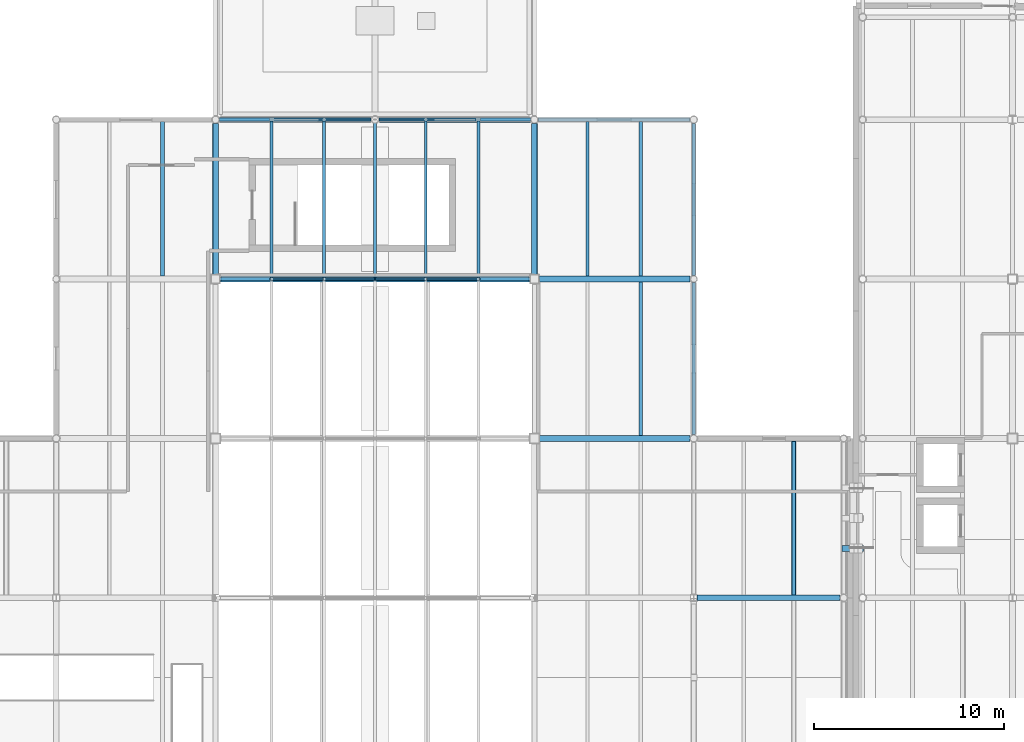
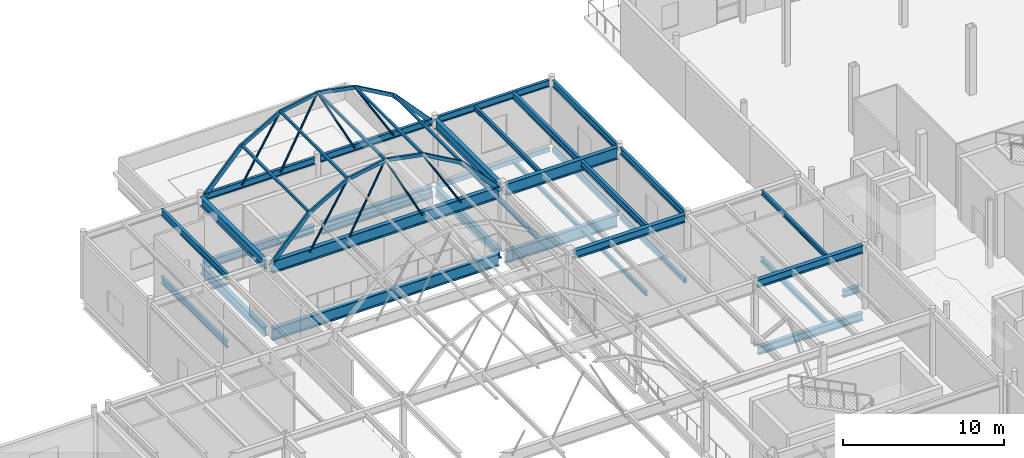
# One storey, part 32 of 103: 32 beams, 25 members.
"""IFC4 building model written with IfcOpenShell, lengths in metres."""

from ifc_helpers import new_model, si_unit, direction, frame, origin, origin_2d, place, context, subcontext, project, spatial, hollow_rectangle, hollow_circle, i_section, extrude, material, material_profile, profile_set, type_object, element, save


model = new_model("IFC4")

# Units and contexts
model_context = context("Model", 3, precision=1e-05, world=origin(), true_north=direction((0.0, 1.0)))
body_context = subcontext(model_context, "Body", "Model", "MODEL_VIEW")
ifc_project = project(units=[si_unit("LENGTHUNIT", "METRE"), si_unit("AREAUNIT", "SQUARE_METRE"), si_unit("VOLUMEUNIT", "CUBIC_METRE"), si_unit("PLANEANGLEUNIT", "RADIAN"), si_unit("MASSUNIT", "GRAM", prefix="KILO"), si_unit("THERMODYNAMICTEMPERATUREUNIT", "KELVIN")], contexts=[model_context])

# Site, building, storey
site_placement = place(None, origin())
site = spatial("IfcSite", under=ifc_project, at=site_placement, CompositionType="ELEMENT")
building_placement = place(site_placement, origin())
building = spatial("IfcBuilding", under=site, at=building_placement, Name="Lustrewick Department Store", CompositionType="ELEMENT")
storey_placement = place(building_placement, frame((0.0, 0.0, 16.5)))
storey = spatial("IfcBuildingStorey", under=building, at=storey_placement, Name="L04", CompositionType="ELEMENT", Elevation=16.5)

# Beams
ifc_material_1 = material(Name="Structural steel Q355B", Category="steel")
ifc_material_profile_1 = material_profile(ifc_material_1, i_section(OverallWidth=0.199951171875, OverallDepth=0.5, WebThickness=0.010009765625, FlangeThickness=0.01611328125, FilletRadius=0.01611328125, at=origin_2d()), Name="HN 500x200x10x16")
ifc_profile_set_1 = profile_set([ifc_material_profile_1], Name="Structural steel Q355B")
beam_type_1 = type_object("IfcBeamType", Name="B01", PredefinedType="JOIST", material=ifc_profile_set_1)
beam_1_placement = place(storey_placement, frame((72.800048828125, 92.550048828125, -0.5048828125), z_axis=(0.0, 1.0, 0.0), x_axis=(-1.0, 0.0, 0.0)))
element("IfcBeam", 1, at=beam_1_placement, inside=storey, type_object=beam_type_1, Name="L04 V2 Secondary Joist B01", PredefinedType="JOIST", context=body_context, shape_type="SweptSolid", body=[
    extrude(i_section(OverallWidth=0.199951171875, OverallDepth=0.5, WebThickness=0.010009765625, FlangeThickness=0.01611328125, FilletRadius=0.01611328125, at=origin_2d()), origin(), (0.0, 0.0, 1.0), 8.14990234375),
])
beam_2_placement = place(storey_placement, frame((98.0, 84.14990234375, 4.594970703125), z_axis=(0.0, 1.0, 0.0), x_axis=(-1.0, 0.0, 0.0)))
element("IfcBeam", 2, at=beam_2_placement, inside=storey, type_object=beam_type_1, Name="L04 V2 Secondary Joist B01", PredefinedType="JOIST", context=body_context, shape_type="SweptSolid", body=[
    extrude(i_section(OverallWidth=0.199951171875, OverallDepth=0.5, WebThickness=0.010009765625, FlangeThickness=0.01611328125, FilletRadius=0.01611328125, at=origin_2d()), origin(), (0.0, 0.0, 1.0), 8.1005859375),
])
beam_3_placement = place(storey_placement, frame((98.0, 92.549560546875, 4.594970703125), z_axis=(0.0, 1.0, 0.0), x_axis=(-1.0, 0.0, 0.0)))
element("IfcBeam", 3, at=beam_3_placement, inside=storey, type_object=beam_type_1, Name="L04 V2 Secondary Joist B01", PredefinedType="JOIST", context=body_context, shape_type="SweptSolid", body=[
    extrude(i_section(OverallWidth=0.199951171875, OverallDepth=0.5, WebThickness=0.010009765625, FlangeThickness=0.01611328125, FilletRadius=0.01611328125, at=origin_2d()), origin(), (0.0, 0.0, 1.0), 8.14990234375),
])
ifc_material_profile_2 = material_profile(ifc_material_1, i_section(OverallWidth=0.198974609375, OverallDepth=0.49609375, WebThickness=0.009033203125, FlangeThickness=0.013916015625, FilletRadius=0.01611328125, at=origin_2d()), Name="HN 496x199x9x14")
ifc_profile_set_2 = profile_set([ifc_material_profile_2], Name="Structural steel Q355B")
beam_type_2 = type_object("IfcBeamType", Name="B02", PredefinedType="JOIST", material=ifc_profile_set_2)
beam_4_placement = place(storey_placement, frame((72.800048828125, 92.550048828125, 4.596923828125), z_axis=(0.0, 1.0, 0.0), x_axis=(-1.0, 0.0, 0.0)))
element("IfcBeam", 4, at=beam_4_placement, inside=storey, type_object=beam_type_2, Name="L04 V2 Secondary Joist B02", PredefinedType="JOIST", context=body_context, shape_type="SweptSolid", body=[
    extrude(i_section(OverallWidth=0.198974609375, OverallDepth=0.49609375, WebThickness=0.009033203125, FlangeThickness=0.013916015625, FilletRadius=0.01611328125, at=origin_2d()), origin(), (0.0, 0.0, 1.0), 8.1494140625),
])
ifc_material_profile_3 = material_profile(ifc_material_1, i_section(OverallWidth=0.25, OverallDepth=0.340087890625, WebThickness=0.009033203125, FlangeThickness=0.013916015625, FilletRadius=0.01611328125, at=origin_2d()), Name="HM 340x250x9x14")
ifc_profile_set_3 = profile_set([ifc_material_profile_3], Name="Structural steel Q355B")
beam_type_3 = type_object("IfcBeamType", Name="B08", PredefinedType="JOIST", material=ifc_profile_set_3)
beam_5_placement = place(storey_placement, frame((106.066650390625, 75.7509765625, -0.425048828125), z_axis=(0.0, 1.0, 0.0), x_axis=(-1.0, 0.0, 0.0)))
element("IfcBeam", 5, at=beam_5_placement, inside=storey, type_object=beam_type_3, Name="L04 V2 Secondary Joist B08", PredefinedType="JOIST", context=body_context, shape_type="SweptSolid", body=[
    extrude(i_section(OverallWidth=0.25, OverallDepth=0.340087890625, WebThickness=0.009033203125, FlangeThickness=0.013916015625, FilletRadius=0.01611328125, at=origin_2d()), origin(), (0.0, 0.0, 1.0), 8.1484375),
])
ifc_material_profile_4 = material_profile(ifc_material_1, i_section(OverallWidth=0.175048828125, OverallDepth=0.35009765625, WebThickness=0.007080078125, FlangeThickness=0.010986328125, FilletRadius=0.012939453125, at=origin_2d()), Name="HN 350x175x7x11")
ifc_profile_set_4 = profile_set([ifc_material_profile_4], Name="Structural steel Q355B")
beam_type_4 = type_object("IfcBeamType", Name="B09", PredefinedType="JOIST", material=ifc_profile_set_4)
beam_6_placement = place(storey_placement, frame((95.199951171875, 92.550048828125, -0.429931640625), z_axis=(0.0, 1.0, 0.0), x_axis=(-1.0, 0.0, 0.0)))
element("IfcBeam", 6, at=beam_6_placement, inside=storey, type_object=beam_type_4, Name="L04 V2 Secondary Joist B09", PredefinedType="JOIST", context=body_context, shape_type="SweptSolid", body=[
    extrude(i_section(OverallWidth=0.175048828125, OverallDepth=0.35009765625, WebThickness=0.007080078125, FlangeThickness=0.010986328125, FilletRadius=0.012939453125, at=origin_2d()), origin(), (0.0, 0.0, 1.0), 8.14990234375),
])
beam_7_placement = place(storey_placement, frame((106.066650390625, 75.75, 4.669921875), z_axis=(0.0, 1.0, 0.0), x_axis=(-1.0, 0.0, 0.0)))
element("IfcBeam", 7, at=beam_7_placement, inside=storey, type_object=beam_type_4, Name="L04 V2 Secondary Joist B09", PredefinedType="JOIST", context=body_context, shape_type="SweptSolid", body=[
    extrude(i_section(OverallWidth=0.175048828125, OverallDepth=0.35009765625, WebThickness=0.007080078125, FlangeThickness=0.010986328125, FilletRadius=0.012939453125, at=origin_2d()), origin(), (0.0, 0.0, 1.0), 8.10009765625),
])
ifc_material_profile_5 = material_profile(ifc_material_1, i_section(OverallWidth=0.174072265625, OverallDepth=0.345947265625, WebThickness=0.006103515625, FlangeThickness=0.009033203125, FilletRadius=0.012939453125, at=origin_2d()), Name="HN 346x174x6x9")
ifc_profile_set_5 = profile_set([ifc_material_profile_5], Name="Structural steel Q355B")
beam_type_5 = type_object("IfcBeamType", Name="B10", PredefinedType="JOIST", material=ifc_profile_set_5)
beam_8_placement = place(storey_placement, frame((95.199951171875, 92.549560546875, 4.672119140625), z_axis=(0.0, 1.0, 0.0), x_axis=(-1.0, 0.0, 0.0)))
element("IfcBeam", 8, at=beam_8_placement, inside=storey, type_object=beam_type_5, Name="L04 V2 Secondary Joist B10", PredefinedType="JOIST", context=body_context, shape_type="SweptSolid", body=[
    extrude(i_section(OverallWidth=0.174072265625, OverallDepth=0.345947265625, WebThickness=0.006103515625, FlangeThickness=0.009033203125, FilletRadius=0.012939453125, at=origin_2d()), origin(), (0.0, 0.0, 1.0), 8.14990234375),
])
ifc_material_profile_6 = material_profile(ifc_material_1, i_section(OverallWidth=0.199951171875, OverallDepth=0.2939453125, WebThickness=0.008056640625, FlangeThickness=0.011962890625, FilletRadius=0.013916015625, at=origin_2d()), Name="HM 294x200x8x12")
ifc_profile_set_6 = profile_set([ifc_material_profile_6], Name="Structural steel Q355B")
beam_type_6 = type_object("IfcBeamType", Name="B13", PredefinedType="JOIST", material=ifc_profile_set_6)
beam_9_placement = place(storey_placement, frame((98.0, 84.15087890625, -0.402099609375), z_axis=(0.0, 1.0, 0.0), x_axis=(-1.0, 0.0, 0.0)))
element("IfcBeam", 9, at=beam_9_placement, inside=storey, type_object=beam_type_6, Name="L04 V2 Secondary Joist B13", PredefinedType="JOIST", context=body_context, shape_type="SweptSolid", body=[
    extrude(i_section(OverallWidth=0.199951171875, OverallDepth=0.2939453125, WebThickness=0.008056640625, FlangeThickness=0.011962890625, FilletRadius=0.013916015625, at=origin_2d()), origin(), (0.0, 0.0, 1.0), 8.09912109375),
])
beam_10_placement = place(storey_placement, frame((98.0, 92.550048828125, -0.402099609375), z_axis=(0.0, 1.0, 0.0), x_axis=(-1.0, 0.0, 0.0)))
element("IfcBeam", 10, at=beam_10_placement, inside=storey, type_object=beam_type_6, Name="L04 V2 Secondary Joist B13", PredefinedType="JOIST", context=body_context, shape_type="SweptSolid", body=[
    extrude(i_section(OverallWidth=0.199951171875, OverallDepth=0.2939453125, WebThickness=0.008056640625, FlangeThickness=0.011962890625, FilletRadius=0.013916015625, at=origin_2d()), origin(), (0.0, 0.0, 1.0), 8.14990234375),
])

# Members
ifc_material_2 = material(Name="Structural steel Q355C", Category="steel")
ifc_material_profile_7 = material_profile(ifc_material_2, hollow_rectangle(XDim=0.14990234375, YDim=0.300048828125, WallThickness=0.010009765625, at=origin_2d()), Name="RHS 300x150x10")
ifc_profile_set_7 = profile_set([ifc_material_profile_7], Name="Structural steel Q355C")
member_type_1 = type_object("IfcMemberType", Name="DR01", PredefinedType="USERDEFINED", material=ifc_profile_set_7)
for number, where, z_axis, x_axis, name in (
    (11, (75.75, 92.39990234375, 4.4951171875), (0.678233515991, 0.0, 0.734846445039), (0.0, 1.0, 0.0), "V2 Verriere Arch Segment 7.1"),
    (12, (89.445068359375, 92.39990234375, 7.5341796875), (0.678233515991, 0.0, -0.734846445039), (0.0, 1.0, 0.0), "V2 Verriere Arch Segment 7.6"),
    (13, (75.75, 100.800048828125, 4.4951171875), (0.678233515991, 0.0, 0.734846445039), (0.0, 1.0, 0.0), "V2 Verriere Arch Segment 8.1"),
    (14, (89.445068359375, 100.800048828125, 7.5341796875), (0.678233515991, 0.0, -0.734846445039), (0.0, 1.0, 0.0), "V2 Verriere Arch Segment 8.6"),
):
    element("IfcMember", number, at=place(storey_placement, frame(where, z_axis=z_axis, x_axis=x_axis)), inside=storey, type_object=member_type_1, Name=name, ObjectType="ARCH_SEGMENT", PredefinedType="USERDEFINED", context=body_context, shape_type="SweptSolid", body=[
        extrude(hollow_rectangle(XDim=0.14990234375, YDim=0.300048828125, WallThickness=0.010009765625, at=origin_2d()), origin(), (0.0, 0.0, 1.0), 4.1357421875),
    ])
ifc_material_profile_8 = material_profile(ifc_material_2, hollow_rectangle(XDim=0.14990234375, YDim=0.25, WallThickness=0.010009765625, at=origin_2d()), Name="RHS 250x150x10")
ifc_profile_set_8 = profile_set([ifc_material_profile_8], Name="Structural steel Q355C")
member_type_2 = type_object("IfcMemberType", Name="DR03", PredefinedType="USERDEFINED", material=ifc_profile_set_8)
member_1_placement = place(storey_placement, frame((78.554931640625, 92.39990234375, 7.5341796875), z_axis=(0.868243142124, 0.0, 0.496138938357), x_axis=(0.0, 1.0, 0.0)))
element("IfcMember", 15, at=member_1_placement, inside=storey, type_object=member_type_2, Name="V2 Verriere Arch Segment 7.2", ObjectType="ARCH_SEGMENT", PredefinedType="USERDEFINED", context=body_context, shape_type="SweptSolid", body=[
    extrude(hollow_rectangle(XDim=0.14990234375, YDim=0.25, WallThickness=0.010009765625, at=origin_2d()), origin(), (0.0, 0.0, 1.0), 3.186767578125),
])
for number, where, z_axis, x_axis, name in (
    (16, (81.32177734375, 92.39990234375, 9.115234375), (0.982347187118, 0.0, 0.187066843563), (0.0, 1.0, 0.0), "V2 Verriere Arch Segment 7.3"),
    (17, (84.0, 92.39990234375, 9.625244140625), (0.982347187118, 0.0, -0.187066843563), (0.0, 1.0, 0.0), "V2 Verriere Arch Segment 7.4"),
):
    element("IfcMember", number, at=place(storey_placement, frame(where, z_axis=z_axis, x_axis=x_axis)), inside=storey, type_object=member_type_2, Name=name, ObjectType="ARCH_SEGMENT", PredefinedType="USERDEFINED", context=body_context, shape_type="SweptSolid", body=[
        extrude(hollow_rectangle(XDim=0.14990234375, YDim=0.25, WallThickness=0.010009765625, at=origin_2d()), origin(), (0.0, 0.0, 1.0), 2.726318359375),
    ])
for number, where, z_axis, x_axis, name in (
    (18, (86.67822265625, 92.39990234375, 9.115234375), (0.868243142124, 0.0, -0.496138938357), (0.0, 1.0, 0.0), "V2 Verriere Arch Segment 7.5"),
    (19, (78.554931640625, 100.800048828125, 7.5341796875), (0.868243142124, 0.0, 0.496138938357), (0.0, 1.0, 0.0), "V2 Verriere Arch Segment 8.2"),
):
    element("IfcMember", number, at=place(storey_placement, frame(where, z_axis=z_axis, x_axis=x_axis)), inside=storey, type_object=member_type_2, Name=name, ObjectType="ARCH_SEGMENT", PredefinedType="USERDEFINED", context=body_context, shape_type="SweptSolid", body=[
        extrude(hollow_rectangle(XDim=0.14990234375, YDim=0.25, WallThickness=0.010009765625, at=origin_2d()), origin(), (0.0, 0.0, 1.0), 3.186767578125),
    ])
for number, where, z_axis, x_axis, name in (
    (20, (81.32177734375, 100.800048828125, 9.115234375), (0.982347187118, 0.0, 0.187066843563), (0.0, 1.0, 0.0), "V2 Verriere Arch Segment 8.3"),
    (21, (84.0, 100.800048828125, 9.625244140625), (0.982347187118, 0.0, -0.187066843563), (0.0, 1.0, 0.0), "V2 Verriere Arch Segment 8.4"),
):
    element("IfcMember", number, at=place(storey_placement, frame(where, z_axis=z_axis, x_axis=x_axis)), inside=storey, type_object=member_type_2, Name=name, ObjectType="ARCH_SEGMENT", PredefinedType="USERDEFINED", context=body_context, shape_type="SweptSolid", body=[
        extrude(hollow_rectangle(XDim=0.14990234375, YDim=0.25, WallThickness=0.010009765625, at=origin_2d()), origin(), (0.0, 0.0, 1.0), 2.726318359375),
    ])
member_2_placement = place(storey_placement, frame((86.67822265625, 100.800048828125, 9.115234375), z_axis=(0.868243142124, 0.0, -0.496138938357), x_axis=(0.0, 1.0, 0.0)))
element("IfcMember", 22, at=member_2_placement, inside=storey, type_object=member_type_2, Name="V2 Verriere Arch Segment 8.5", ObjectType="ARCH_SEGMENT", PredefinedType="USERDEFINED", context=body_context, shape_type="SweptSolid", body=[
    extrude(hollow_rectangle(XDim=0.14990234375, YDim=0.25, WallThickness=0.010009765625, at=origin_2d()), origin(), (0.0, 0.0, 1.0), 3.186767578125),
])
ifc_material_profile_9 = material_profile(ifc_material_1, hollow_rectangle(XDim=0.14990234375, YDim=0.14990234375, WallThickness=0.008056640625, at=origin_2d()), Name="SHS 150x150x8")
ifc_profile_set_9 = profile_set([ifc_material_profile_9], Name="Structural steel Q355B")
member_type_3 = type_object("IfcMemberType", Name="DR05", PredefinedType="PURLIN", material=ifc_profile_set_9)
for number, where, z_axis, x_axis, name in (
    (23, (78.554443359375, 92.39990234375, 7.585205078125), (0.0, 1.0, 0.0), (-1.0, 0.0, 0.0), "V2 Verriere Longitudinal Purlin 7.2"),
    (24, (81.3212890625, 92.39990234375, 9.166259765625), (0.0, 1.0, 0.0), (-1.0, 0.0, 0.0), "V2 Verriere Longitudinal Purlin 7.3"),
    (25, (84.0, 92.39990234375, 9.67626953125), (0.0, 1.0, 0.0), (-1.0, 0.0, 0.0), "V2 Verriere Longitudinal Purlin 7.4"),
    (26, (86.6787109375, 92.39990234375, 9.166259765625), (0.0, 1.0, 0.0), (-1.0, 0.0, 0.0), "V2 Verriere Longitudinal Purlin 7.5"),
    (27, (89.445556640625, 92.39990234375, 7.585205078125), (0.0, 1.0, 0.0), (-1.0, 0.0, 0.0), "V2 Verriere Longitudinal Purlin 7.6"),
):
    element("IfcMember", number, at=place(storey_placement, frame(where, z_axis=z_axis, x_axis=x_axis)), inside=storey, type_object=member_type_3, Name=name, PredefinedType="PURLIN", context=body_context, shape_type="SweptSolid", body=[
        extrude(hollow_rectangle(XDim=0.14990234375, YDim=0.14990234375, WallThickness=0.008056640625, at=origin_2d()), origin(), (0.0, 0.0, 1.0), 8.400146484375),
    ])
ifc_material_profile_10 = material_profile(ifc_material_2, hollow_circle(Radius=0.070068359375, WallThickness=0.006103515625, at=origin_2d()), Name="CHS 140x6")
ifc_profile_set_10 = profile_set([ifc_material_profile_10], Name="Structural steel Q355C")
member_type_4 = type_object("IfcMemberType", Name="DR10", PredefinedType="BRACE", material=ifc_profile_set_10)
member_3_placement = place(storey_placement, frame((78.554931640625, 92.39990234375, 4.4951171875), z_axis=(0.513782216913, 0.0, 0.857920645272), x_axis=(0.0, 1.0, 0.0)))
element("IfcMember", 28, at=member_3_placement, inside=storey, type_object=member_type_4, Name="V2 Verriere Tension Truss Diagonal 7.1", PredefinedType="BRACE", context=body_context, shape_type="SweptSolid", body=[
    extrude(hollow_circle(Radius=0.070068359375, WallThickness=0.006103515625, at=origin_2d()), origin(), (0.0, 0.0, 1.0), 5.38525390625),
])
member_4_placement = place(storey_placement, frame((81.32177734375, 92.39990234375, 4.4951171875), z_axis=(0.462788020817, 0.0, 0.886468977341), x_axis=(0.0, 1.0, 0.0)))
element("IfcMember", 29, at=member_4_placement, inside=storey, type_object=member_type_4, Name="V2 Verriere Tension Truss Diagonal 7.2", PredefinedType="BRACE", context=body_context, shape_type="SweptSolid", body=[
    extrude(hollow_circle(Radius=0.070068359375, WallThickness=0.006103515625, at=origin_2d()), origin(), (0.0, 0.0, 1.0), 5.787109375),
])
member_5_placement = place(storey_placement, frame((89.445068359375, 92.39990234375, 4.4951171875), z_axis=(-0.513782216913, 0.0, 0.857920645272), x_axis=(0.0, -1.0, 0.0)))
element("IfcMember", 30, at=member_5_placement, inside=storey, type_object=member_type_4, Name="V2 Verriere Tension Truss Diagonal 7.3", PredefinedType="BRACE", context=body_context, shape_type="SweptSolid", body=[
    extrude(hollow_circle(Radius=0.070068359375, WallThickness=0.006103515625, at=origin_2d()), origin(), (0.0, 0.0, 1.0), 5.38525390625),
])
member_6_placement = place(storey_placement, frame((86.67822265625, 92.39990234375, 4.4951171875), z_axis=(-0.462788020817, 0.0, 0.886468977341), x_axis=(0.0, -1.0, 0.0)))
element("IfcMember", 31, at=member_6_placement, inside=storey, type_object=member_type_4, Name="V2 Verriere Tension Truss Diagonal 7.4", PredefinedType="BRACE", context=body_context, shape_type="SweptSolid", body=[
    extrude(hollow_circle(Radius=0.070068359375, WallThickness=0.006103515625, at=origin_2d()), origin(), (0.0, 0.0, 1.0), 5.787109375),
])
member_7_placement = place(storey_placement, frame((78.554931640625, 100.800048828125, 4.4951171875), z_axis=(0.513782216913, 0.0, 0.857920645272), x_axis=(0.0, 1.0, 0.0)))
element("IfcMember", 32, at=member_7_placement, inside=storey, type_object=member_type_4, Name="V2 Verriere Tension Truss Diagonal 8.1", PredefinedType="BRACE", context=body_context, shape_type="SweptSolid", body=[
    extrude(hollow_circle(Radius=0.070068359375, WallThickness=0.006103515625, at=origin_2d()), origin(), (0.0, 0.0, 1.0), 5.38525390625),
])
member_8_placement = place(storey_placement, frame((81.32177734375, 100.800048828125, 4.4951171875), z_axis=(0.462788020817, 0.0, 0.886468977341), x_axis=(0.0, 1.0, 0.0)))
element("IfcMember", 33, at=member_8_placement, inside=storey, type_object=member_type_4, Name="V2 Verriere Tension Truss Diagonal 8.2", PredefinedType="BRACE", context=body_context, shape_type="SweptSolid", body=[
    extrude(hollow_circle(Radius=0.070068359375, WallThickness=0.006103515625, at=origin_2d()), origin(), (0.0, 0.0, 1.0), 5.787109375),
])
member_9_placement = place(storey_placement, frame((89.445068359375, 100.800048828125, 4.4951171875), z_axis=(-0.513782216913, 0.0, 0.857920645272), x_axis=(0.0, -1.0, 0.0)))
element("IfcMember", 34, at=member_9_placement, inside=storey, type_object=member_type_4, Name="V2 Verriere Tension Truss Diagonal 8.3", PredefinedType="BRACE", context=body_context, shape_type="SweptSolid", body=[
    extrude(hollow_circle(Radius=0.070068359375, WallThickness=0.006103515625, at=origin_2d()), origin(), (0.0, 0.0, 1.0), 5.38525390625),
])
member_10_placement = place(storey_placement, frame((86.67822265625, 100.800048828125, 4.4951171875), z_axis=(-0.462788020817, 0.0, 0.886468977341), x_axis=(0.0, -1.0, 0.0)))
element("IfcMember", 35, at=member_10_placement, inside=storey, type_object=member_type_4, Name="V2 Verriere Tension Truss Diagonal 8.4", PredefinedType="BRACE", context=body_context, shape_type="SweptSolid", body=[
    extrude(hollow_circle(Radius=0.070068359375, WallThickness=0.006103515625, at=origin_2d()), origin(), (0.0, 0.0, 1.0), 5.787109375),
])

# Beams
ifc_material_profile_11 = material_profile(ifc_material_2, i_section(OverallWidth=0.302001953125, OverallDepth=0.912109375, WebThickness=0.01806640625, FlangeThickness=0.033935546875, FilletRadius=0.02392578125, at=origin_2d()), Name="HN 912x302x18x34")
ifc_profile_set_11 = profile_set([ifc_material_profile_11], Name="Structural steel Q355C")
beam_type_7 = type_object("IfcBeamType", Name="G01", PredefinedType="BEAM", material=ifc_profile_set_11)
beam_11_placement = place(storey_placement, frame((75.875, 92.39990234375, -0.7109375), z_axis=(1.0, 0.0, 0.0), x_axis=(0.0, 1.0, 0.0)))
element("IfcBeam", 36, at=beam_11_placement, inside=storey, type_object=beam_type_7, Name="L04 V2 Girder G01", PredefinedType="BEAM", context=body_context, shape_type="SweptSolid", body=[
    extrude(i_section(OverallWidth=0.302001953125, OverallDepth=0.912109375, WebThickness=0.01806640625, FlangeThickness=0.033935546875, FilletRadius=0.02392578125, at=origin_2d()), origin(), (0.0, 0.0, 1.0), 16.25),
])
ifc_material_profile_12 = material_profile(ifc_material_2, i_section(OverallWidth=0.300048828125, OverallDepth=0.89990234375, WebThickness=0.01611328125, FlangeThickness=0.028076171875, FilletRadius=0.02392578125, at=origin_2d()), Name="HN 900x300x16x28")
ifc_profile_set_12 = profile_set([ifc_material_profile_12], Name="Structural steel Q355C")
beam_type_8 = type_object("IfcBeamType", Name="G02", PredefinedType="BEAM", material=ifc_profile_set_12)
beam_12_placement = place(storey_placement, frame((92.675048828125, 92.39990234375, -0.705078125), z_axis=(1.0, 0.0, 0.0), x_axis=(0.0, 1.0, 0.0)))
element("IfcBeam", 37, at=beam_12_placement, inside=storey, type_object=beam_type_8, Name="L04 V2 Girder G02", PredefinedType="BEAM", context=body_context, shape_type="SweptSolid", body=[
    extrude(i_section(OverallWidth=0.300048828125, OverallDepth=0.89990234375, WebThickness=0.01611328125, FlangeThickness=0.028076171875, FilletRadius=0.02392578125, at=origin_2d()), origin(), (0.0, 0.0, 1.0), 7.9365234375),
])
beam_13_placement = place(storey_placement, frame((84.25, 100.800048828125, -0.705078125), z_axis=(1.0, 0.0, 0.0), x_axis=(0.0, 1.0, 0.0)))
element("IfcBeam", 38, at=beam_13_placement, inside=storey, type_object=beam_type_8, Name="L04 V2 Girder G02", PredefinedType="BEAM", context=body_context, shape_type="SweptSolid", body=[
    extrude(i_section(OverallWidth=0.300048828125, OverallDepth=0.89990234375, WebThickness=0.01611328125, FlangeThickness=0.028076171875, FilletRadius=0.02392578125, at=origin_2d()), origin(), (0.0, 0.0, 1.0), 7.947021484375),
])
beam_14_placement = place(storey_placement, frame((75.85009765625, 92.39990234375, 4.39501953125), z_axis=(1.0, 0.0, 0.0), x_axis=(0.0, 1.0, 0.0)))
element("IfcBeam", 39, at=beam_14_placement, inside=storey, type_object=beam_type_8, Name="L04 V2 Girder G02", PredefinedType="BEAM", context=body_context, shape_type="SweptSolid", body=[
    extrude(i_section(OverallWidth=0.300048828125, OverallDepth=0.89990234375, WebThickness=0.01611328125, FlangeThickness=0.028076171875, FilletRadius=0.02392578125, at=origin_2d()), origin(), (0.0, 0.0, 1.0), 16.2998046875),
])
ifc_material_profile_13 = material_profile(ifc_material_2, i_section(OverallWidth=0.299072265625, OverallDepth=0.889892578125, WebThickness=0.014892578125, FlangeThickness=0.02294921875, FilletRadius=0.02392578125, at=origin_2d()), Name="HN 890x299x15x23")
ifc_profile_set_13 = profile_set([ifc_material_profile_13], Name="Structural steel Q355C")
beam_type_9 = type_object("IfcBeamType", Name="G03", PredefinedType="BEAM", material=ifc_profile_set_13)
beam_15_placement = place(storey_placement, frame((92.64990234375, 92.39990234375, 4.39990234375), z_axis=(1.0, 0.0, 0.0), x_axis=(0.0, 1.0, 0.0)))
element("IfcBeam", 40, at=beam_15_placement, inside=storey, type_object=beam_type_9, Name="L04 V2 Girder G03", PredefinedType="BEAM", context=body_context, shape_type="SweptSolid", body=[
    extrude(i_section(OverallWidth=0.299072265625, OverallDepth=0.889892578125, WebThickness=0.014892578125, FlangeThickness=0.02294921875, FilletRadius=0.02392578125, at=origin_2d()), origin(), (0.0, 0.0, 1.0), 7.961669921875),
])
ifc_material_profile_14 = material_profile(ifc_material_2, i_section(OverallWidth=0.302001953125, OverallDepth=0.7080078125, WebThickness=0.014892578125, FlangeThickness=0.028076171875, FilletRadius=0.02001953125, at=origin_2d()), Name="HN 708x302x15x28")
ifc_profile_set_14 = profile_set([ifc_material_profile_14], Name="Structural steel Q355C")
beam_type_10 = type_object("IfcBeamType", Name="G07", PredefinedType="BEAM", material=ifc_profile_set_14)
for number, where, z_axis, x_axis, name in (
    (41, (75.60009765625, 92.675048828125, -0.60888671875), (0.0, 1.0, 0.0), (-1.0, 0.0, 0.0), "L04 V2 Girder G07"),
    (42, (92.39990234375, 92.675048828125, -0.60888671875), (0.0, 1.0, 0.0), (-1.0, 0.0, 0.0), "L04 V2 Girder G07"),
):
    element("IfcBeam", number, at=place(storey_placement, frame(where, z_axis=z_axis, x_axis=x_axis)), inside=storey, type_object=beam_type_10, Name=name, PredefinedType="BEAM", context=body_context, shape_type="SweptSolid", body=[
        extrude(i_section(OverallWidth=0.302001953125, OverallDepth=0.7080078125, WebThickness=0.014892578125, FlangeThickness=0.028076171875, FilletRadius=0.02001953125, at=origin_2d()), origin(), (0.0, 0.0, 1.0), 7.921875),
    ])
ifc_material_profile_15 = material_profile(ifc_material_1, i_section(OverallWidth=0.300048828125, OverallDepth=0.699951171875, WebThickness=0.012939453125, FlangeThickness=0.02392578125, FilletRadius=0.02001953125, at=origin_2d()), Name="HN 700x300x13x24")
ifc_profile_set_15 = profile_set([ifc_material_profile_15], Name="Structural steel Q355B")
beam_type_11 = type_object("IfcBeamType", Name="G08", PredefinedType="BEAM", material=ifc_profile_set_15)
for number, where, z_axis, x_axis, name in (
    (43, (75.60009765625, 92.64990234375, 4.4951171875), (0.0, 1.0, 0.0), (-1.0, 0.0, 0.0), "L04 V2 Girder G08"),
    (44, (92.39990234375, 92.64990234375, 4.4951171875), (0.0, 1.0, 0.0), (-1.0, 0.0, 0.0), "L04 V2 Girder G08"),
):
    element("IfcBeam", number, at=place(storey_placement, frame(where, z_axis=z_axis, x_axis=x_axis)), inside=storey, type_object=beam_type_11, Name=name, PredefinedType="BEAM", context=body_context, shape_type="SweptSolid", body=[
        extrude(i_section(OverallWidth=0.300048828125, OverallDepth=0.699951171875, WebThickness=0.012939453125, FlangeThickness=0.02392578125, FilletRadius=0.02001953125, at=origin_2d()), origin(), (0.0, 0.0, 1.0), 7.947021484375),
    ])
ifc_material_profile_16 = material_profile(ifc_material_1, i_section(OverallWidth=0.302001953125, OverallDepth=0.593994140625, WebThickness=0.013916015625, FlangeThickness=0.02294921875, FilletRadius=0.02392578125, at=origin_2d()), Name="HM 594x302x14x23")
ifc_profile_set_16 = profile_set([ifc_material_profile_16], Name="Structural steel Q355B")
beam_type_12 = type_object("IfcBeamType", Name="G10", PredefinedType="BEAM", material=ifc_profile_set_16)
beam_16_placement = place(storey_placement, frame((101.0009765625, 75.60009765625, -0.552001953125), z_axis=(1.0, 0.0, 0.0), x_axis=(0.0, 1.0, 0.0)))
element("IfcBeam", 45, at=beam_16_placement, inside=storey, type_object=beam_type_12, Name="L04 V2 Girder G10", PredefinedType="BEAM", context=body_context, shape_type="SweptSolid", body=[
    extrude(i_section(OverallWidth=0.302001953125, OverallDepth=0.593994140625, WebThickness=0.013916015625, FlangeThickness=0.02294921875, FilletRadius=0.02392578125, at=origin_2d()), origin(), (0.0, 0.0, 1.0), 7.49609375),
])
beam_17_placement = place(storey_placement, frame((75.802978515625, 100.800048828125, -0.552001953125), z_axis=(1.0, 0.0, 0.0), x_axis=(0.0, 1.0, 0.0)))
element("IfcBeam", 46, at=beam_17_placement, inside=storey, type_object=beam_type_12, Name="L04 V2 Girder G10", PredefinedType="BEAM", context=body_context, shape_type="SweptSolid", body=[
    extrude(i_section(OverallWidth=0.302001953125, OverallDepth=0.593994140625, WebThickness=0.013916015625, FlangeThickness=0.02294921875, FilletRadius=0.02392578125, at=origin_2d()), origin(), (0.0, 0.0, 1.0), 7.947021484375),
])
ifc_material_profile_17 = material_profile(ifc_material_1, i_section(OverallWidth=0.300048828125, OverallDepth=0.587890625, WebThickness=0.011962890625, FlangeThickness=0.02001953125, FilletRadius=0.02392578125, at=origin_2d()), Name="HM 588x300x12x20")
ifc_profile_set_17 = profile_set([ifc_material_profile_17], Name="Structural steel Q355B")
beam_type_13 = type_object("IfcBeamType", Name="G11", PredefinedType="BEAM", material=ifc_profile_set_17)
beam_18_placement = place(storey_placement, frame((100.97509765625, 75.60009765625, 4.551025390625), z_axis=(1.0, 0.0, 0.0), x_axis=(0.0, 1.0, 0.0)))
element("IfcBeam", 47, at=beam_18_placement, inside=storey, type_object=beam_type_13, Name="L04 V2 Girder G11", PredefinedType="BEAM", context=body_context, shape_type="SweptSolid", body=[
    extrude(i_section(OverallWidth=0.300048828125, OverallDepth=0.587890625, WebThickness=0.011962890625, FlangeThickness=0.02001953125, FilletRadius=0.02392578125, at=origin_2d()), origin(), (0.0, 0.0, 1.0), 7.52197265625),
])
beam_19_placement = place(storey_placement, frame((92.675048828125, 84.0, 4.551025390625), z_axis=(1.0, 0.0, 0.0), x_axis=(0.0, 1.0, 0.0)))
element("IfcBeam", 48, at=beam_19_placement, inside=storey, type_object=beam_type_13, Name="L04 V2 Girder G11", PredefinedType="BEAM", context=body_context, shape_type="SweptSolid", body=[
    extrude(i_section(OverallWidth=0.300048828125, OverallDepth=0.587890625, WebThickness=0.011962890625, FlangeThickness=0.02001953125, FilletRadius=0.02392578125, at=origin_2d()), origin(), (0.0, 0.0, 1.0), 7.921875),
])
ifc_material_profile_18 = material_profile(ifc_material_1, i_section(OverallWidth=0.300048828125, OverallDepth=0.488037109375, WebThickness=0.010986328125, FlangeThickness=0.01806640625, FilletRadius=0.02197265625, at=origin_2d()), Name="HM 488x300x11x18")
ifc_profile_set_18 = profile_set([ifc_material_profile_18], Name="Structural steel Q355B")
beam_type_14 = type_object("IfcBeamType", Name="G16", PredefinedType="BEAM", material=ifc_profile_set_18)
beam_20_placement = place(storey_placement, frame((108.60009765625, 78.199951171875, -0.4990234375), z_axis=(1.0, 0.0, 0.0), x_axis=(0.0, 1.0, 0.0)))
element("IfcBeam", 49, at=beam_20_placement, inside=storey, type_object=beam_type_14, Name="L04 Skybridge SB24 Girder 1", PredefinedType="BEAM", context=body_context, shape_type="SweptSolid", body=[
    extrude(i_section(OverallWidth=0.300048828125, OverallDepth=0.488037109375, WebThickness=0.010986328125, FlangeThickness=0.01806640625, FilletRadius=0.02197265625, at=origin_2d()), origin(), (0.0, 0.0, 1.0), 1.139892578125),
])
ifc_material_profile_19 = material_profile(ifc_material_1, i_section(OverallWidth=0.200927734375, OverallDepth=0.506103515625, WebThickness=0.010986328125, FlangeThickness=0.01904296875, FilletRadius=0.01611328125, at=origin_2d()), Name="HN 506x201x11x19")
ifc_profile_set_19 = profile_set([ifc_material_profile_19], Name="Structural steel Q355B")
beam_type_15 = type_object("IfcBeamType", Name="SP01", PredefinedType="SPANDREL", material=ifc_profile_set_19)
for number, where, z_axis, x_axis, name in (
    (50, (75.802978515625, 100.800048828125, 4.592041015625), (1.0, 0.0, 0.0), (0.0, 1.0, 0.0), "L04 V2 Girder SP01"),
    (51, (84.202880859375, 100.800048828125, 4.592041015625), (1.0, 0.0, 0.0), (0.0, 1.0, 0.0), "L04 V2 Girder SP01"),
):
    element("IfcBeam", number, at=place(storey_placement, frame(where, z_axis=z_axis, x_axis=x_axis)), inside=storey, type_object=beam_type_15, Name=name, PredefinedType="SPANDREL", context=body_context, shape_type="SweptSolid", body=[
        extrude(i_section(OverallWidth=0.200927734375, OverallDepth=0.506103515625, WebThickness=0.010986328125, FlangeThickness=0.01904296875, FilletRadius=0.01611328125, at=origin_2d()), origin(), (0.0, 0.0, 1.0), 7.994140625),
    ])
beam_21_placement = place(storey_placement, frame((92.60302734375, 100.800048828125, 4.592041015625), z_axis=(1.0, 0.0, 0.0), x_axis=(0.0, 1.0, 0.0)))
element("IfcBeam", 52, at=beam_21_placement, inside=storey, type_object=beam_type_15, Name="L04 V2 Girder SP01", PredefinedType="SPANDREL", context=body_context, shape_type="SweptSolid", body=[
    extrude(i_section(OverallWidth=0.200927734375, OverallDepth=0.506103515625, WebThickness=0.010986328125, FlangeThickness=0.01904296875, FilletRadius=0.01611328125, at=origin_2d()), origin(), (0.0, 0.0, 1.0), 7.993896484375),
])
for number, where, z_axis, x_axis, name in (
    (53, (100.800048828125, 84.202880859375, 4.592041015625), (0.0, 1.0, 0.0), (-1.0, 0.0, 0.0), "L04 V2 Girder SP01"),
    (54, (100.800048828125, 92.58837890625, 4.592041015625), (0.0, 1.0, 0.0), (-1.0, 0.0, 0.0), "L04 V2 Girder SP01"),
):
    element("IfcBeam", number, at=place(storey_placement, frame(where, z_axis=z_axis, x_axis=x_axis)), inside=storey, type_object=beam_type_15, Name=name, PredefinedType="SPANDREL", context=body_context, shape_type="SweptSolid", body=[
        extrude(i_section(OverallWidth=0.200927734375, OverallDepth=0.506103515625, WebThickness=0.010986328125, FlangeThickness=0.01904296875, FilletRadius=0.01611328125, at=origin_2d()), origin(), (0.0, 0.0, 1.0), 8.008544921875),
    ])
ifc_material_profile_20 = material_profile(ifc_material_2, hollow_rectangle(XDim=0.199951171875, YDim=0.35009765625, WallThickness=0.011962890625, at=origin_2d()), Name="RHS 350x200x12")
ifc_profile_set_20 = profile_set([ifc_material_profile_20], Name="Structural steel Q355C")
beam_type_16 = type_object("IfcBeamType", Name="SP03", PredefinedType="SPANDREL", material=ifc_profile_set_20)
beam_22_placement = place(storey_placement, frame((92.60302734375, 100.800048828125, -0.429931640625), z_axis=(1.0, 0.0, 0.0), x_axis=(0.0, 1.0, 0.0)))
element("IfcBeam", 55, at=beam_22_placement, inside=storey, type_object=beam_type_16, Name="L04 V2 Girder SP03", PredefinedType="SPANDREL", context=body_context, shape_type="SweptSolid", body=[
    extrude(hollow_rectangle(XDim=0.199951171875, YDim=0.35009765625, WallThickness=0.011962890625, at=origin_2d()), origin(), (0.0, 0.0, 1.0), 7.993896484375),
])
for number, where, z_axis, x_axis, name in (
    (56, (100.800048828125, 84.202880859375, -0.429931640625), (0.0, 1.0, 0.0), (-1.0, 0.0, 0.0), "L04 V2 Girder SP03"),
    (57, (100.800048828125, 92.58837890625, -0.429931640625), (0.0, 1.0, 0.0), (-1.0, 0.0, 0.0), "L04 V2 Girder SP03"),
):
    element("IfcBeam", number, at=place(storey_placement, frame(where, z_axis=z_axis, x_axis=x_axis)), inside=storey, type_object=beam_type_16, Name=name, PredefinedType="SPANDREL", context=body_context, shape_type="SweptSolid", body=[
        extrude(hollow_rectangle(XDim=0.199951171875, YDim=0.35009765625, WallThickness=0.011962890625, at=origin_2d()), origin(), (0.0, 0.0, 1.0), 8.008544921875),
    ])

save(model, "model.ifc")
